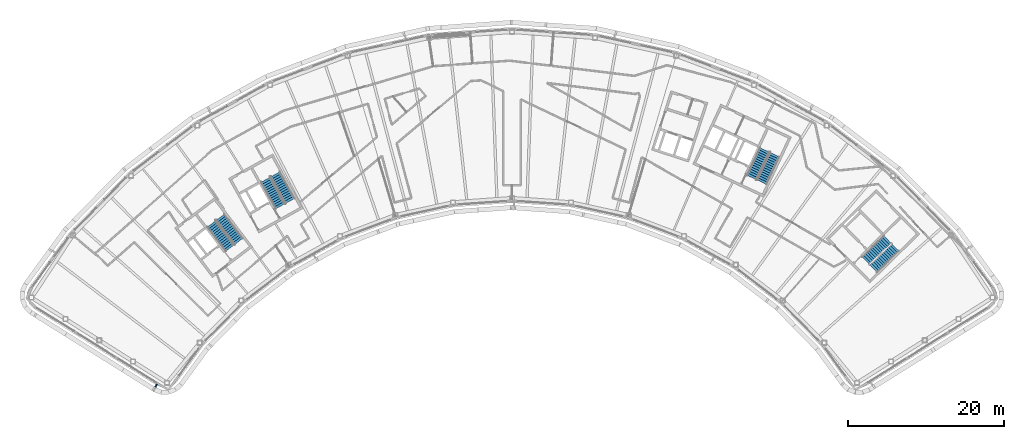
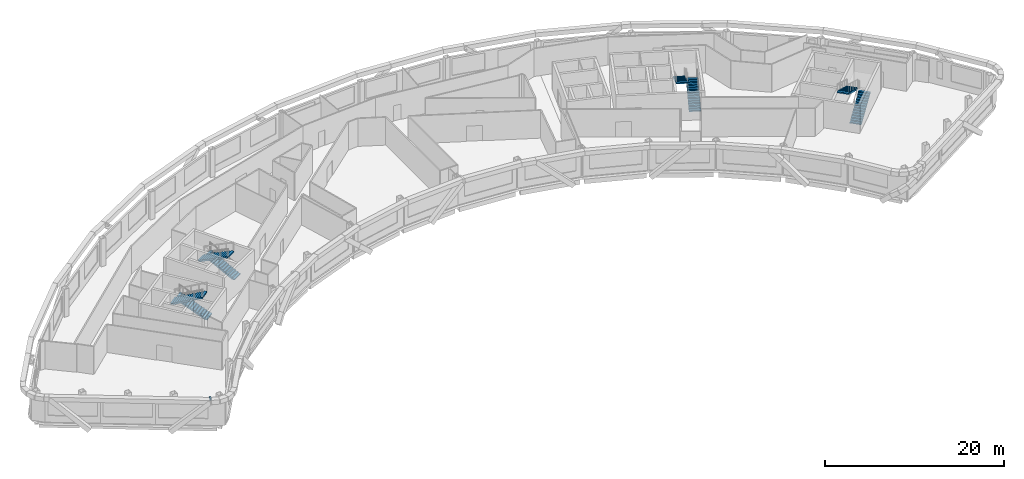
# One storey, part 11 of 17: 8 stair flights, 1 discrete accessory, 4 elements without a shape of their own.
"""IFC4 building model written with IfcOpenShell, lengths in metres."""

from ifc_helpers import new_model, si_unit, direction, frame, origin, origin_2d, place, context, subcontext, project, spatial, polyline, rectangle, outline, extrude, material, type_object, element, aggregate, save


model = new_model("IFC4")

# Units and contexts
model_context = context("Model", 3, precision=1e-05, world=origin(), true_north=direction((0.0, 1.0)))
body_context = subcontext(model_context, "Body", "Model", "MODEL_VIEW")
ifc_project = project(units=[si_unit("LENGTHUNIT", "METRE"), si_unit("AREAUNIT", "SQUARE_METRE"), si_unit("VOLUMEUNIT", "CUBIC_METRE"), si_unit("PLANEANGLEUNIT", "RADIAN"), si_unit("MASSUNIT", "GRAM", prefix="KILO")], contexts=[model_context])

# Site, building, storey
site_placement = place(None, origin())
site = spatial("IfcSite", under=ifc_project, at=site_placement, CompositionType="ELEMENT")
building_placement = place(site_placement, origin())
building = spatial("IfcBuilding", under=site, at=building_placement, Name="Tuul Gate Civic Tower", CompositionType="ELEMENT")
storey_placement = place(building_placement, frame((0.0, 0.0, 344.89990234375)))
storey = spatial("IfcBuildingStorey", under=building, at=storey_placement, Name="Level 78", CompositionType="ELEMENT", Elevation=344.89990234375)

# Stair, stair flights
ifc_material_1 = material(Name="Concrete C40/50", Category="concrete")
stair_type = type_object("IfcStairType", Name="Exit stair", PredefinedType="HALF_TURN_STAIR", material=ifc_material_1)
stair_1_placement = place(storey_placement, origin())
stair_1 = element("IfcStair", 1, at=stair_1_placement, inside=storey, type_object=stair_type, Name="Level 78 ST-1", PredefinedType="HALF_TURN_STAIR")
ifc_material_2 = material(Name="Concrete C40/50", Category="concrete")
stair_flight_type = type_object("IfcStairFlightType", Name="Exit stair flight", PredefinedType="STRAIGHT", material=ifc_material_2)
stair_flight_1_placement = place(storey_placement, frame((-32.875244140625, -13.066650390625, 0.0), z_axis=(0.0, 0.0, 1.0), x_axis=(-0.605764474941, 0.795644016442, 0.0)))
stair_flight_1 = element("IfcStairFlight", 2, at=stair_flight_1_placement, type_object=stair_flight_type, Name="ST-1 flight 1", NumberOfRisers=14, NumberOfTreads=13, PredefinedType="STRAIGHT", RiserHeight=0.15, TreadLength=0.3, context=body_context, shape_type="SweptSolid", body=[
    extrude(outline(polyline([(0.0, 0.0), (0.0, 0.14990234375), (0.300048828125, 0.14990234375), (0.300048828125, 0.300048828125), (0.60009765625, 0.300048828125), (0.60009765625, 0.449951171875), (0.89990234375, 0.449951171875), (0.89990234375, 0.60009765625), (1.199951171875, 0.60009765625), (1.199951171875, 0.75), (1.5, 0.75), (1.5, 0.89990234375), (1.800048828125, 0.89990234375), (1.800048828125, 1.050048828125), (2.10009765625, 1.050048828125), (2.10009765625, 1.199951171875), (2.39990234375, 1.199951171875), (2.39990234375, 1.35009765625), (2.699951171875, 1.35009765625), (2.699951171875, 1.5), (3.0, 1.5), (3.0, 1.64990234375), (3.300048828125, 1.64990234375), (3.300048828125, 1.800048828125), (3.60009765625, 1.800048828125), (3.60009765625, 1.949951171875), (3.89990234375, 1.949951171875), (3.89990234375, 2.10009765625), (3.89990234375, 1.782470703125), (0.335205078125, 0.0), (0.0, 0.0)])), frame((0.0, 0.675048828125, 0.0), z_axis=(0.0, -1.0, 0.0), x_axis=(1.0, 0.0, 0.0)), (0.0, 0.0, 1.0), 1.35009765625),
])
stair_flight_2_placement = place(storey_placement, frame((-36.391357421875, -10.842041015625, 2.10009765625), z_axis=(0.0, 0.0, 1.0), x_axis=(0.605764474941, -0.795644016442, 0.0)))
stair_flight_2 = element("IfcStairFlight", 3, at=stair_flight_2_placement, type_object=stair_flight_type, Name="ST-1 flight 2", NumberOfRisers=14, NumberOfTreads=13, PredefinedType="STRAIGHT", RiserHeight=0.15, TreadLength=0.3, context=body_context, shape_type="SweptSolid", body=[
    extrude(outline(polyline([(0.0, 0.0), (0.0, 0.14990234375), (0.300048828125, 0.14990234375), (0.300048828125, 0.300048828125), (0.60009765625, 0.300048828125), (0.60009765625, 0.449951171875), (0.89990234375, 0.449951171875), (0.89990234375, 0.60009765625), (1.199951171875, 0.60009765625), (1.199951171875, 0.75), (1.5, 0.75), (1.5, 0.89990234375), (1.800048828125, 0.89990234375), (1.800048828125, 1.050048828125), (2.10009765625, 1.050048828125), (2.10009765625, 1.199951171875), (2.39990234375, 1.199951171875), (2.39990234375, 1.35009765625), (2.699951171875, 1.35009765625), (2.699951171875, 1.5), (3.0, 1.5), (3.0, 1.64990234375), (3.300048828125, 1.64990234375), (3.300048828125, 1.800048828125), (3.60009765625, 1.800048828125), (3.60009765625, 1.949951171875), (3.89990234375, 1.949951171875), (3.89990234375, 2.10009765625), (3.89990234375, 1.782470703125), (0.335205078125, 0.0), (0.0, 0.0)])), frame((0.0, 0.675048828125, 0.0), z_axis=(0.0, -1.0, 0.0), x_axis=(1.0, 0.0, 0.0)), (0.0, 0.0, 1.0), 1.35009765625),
])
aggregate(stair_1, [stair_flight_1, stair_flight_2])

stair_2_placement = place(storey_placement, origin())
stair_2 = element("IfcStair", 4, at=stair_2_placement, inside=storey, type_object=stair_type, Name="Level 78 ST-2", PredefinedType="HALF_TURN_STAIR")
stair_flight_3_placement = place(storey_placement, frame((-26.29150390625, -7.87646484375, 0.0), z_axis=(0.0, 0.0, 1.0), x_axis=(-0.484761763766, 0.874646232708, 0.0)))
stair_flight_3 = element("IfcStairFlight", 5, at=stair_flight_3_placement, type_object=stair_flight_type, Name="ST-2 flight 1", NumberOfRisers=14, NumberOfTreads=13, PredefinedType="STRAIGHT", RiserHeight=0.15, TreadLength=0.3, context=body_context, shape_type="SweptSolid", body=[
    extrude(outline(polyline([(0.0, 0.0), (0.0, 0.14990234375), (0.300048828125, 0.14990234375), (0.300048828125, 0.300048828125), (0.60009765625, 0.300048828125), (0.60009765625, 0.449951171875), (0.89990234375, 0.449951171875), (0.89990234375, 0.60009765625), (1.199951171875, 0.60009765625), (1.199951171875, 0.75), (1.5, 0.75), (1.5, 0.89990234375), (1.800048828125, 0.89990234375), (1.800048828125, 1.050048828125), (2.10009765625, 1.050048828125), (2.10009765625, 1.199951171875), (2.39990234375, 1.199951171875), (2.39990234375, 1.35009765625), (2.699951171875, 1.35009765625), (2.699951171875, 1.5), (3.0, 1.5), (3.0, 1.64990234375), (3.300048828125, 1.64990234375), (3.300048828125, 1.800048828125), (3.60009765625, 1.800048828125), (3.60009765625, 1.949951171875), (3.89990234375, 1.949951171875), (3.89990234375, 2.10009765625), (3.89990234375, 1.782470703125), (0.335205078125, 0.0), (0.0, 0.0)])), frame((0.0, 0.675048828125, 0.0), z_axis=(0.0, -1.0, 0.0), x_axis=(1.0, 0.0, 0.0)), (0.0, 0.0, 1.0), 1.35009765625),
])
stair_flight_4_placement = place(storey_placement, frame((-29.450439453125, -5.168212890625, 2.10009765625), z_axis=(0.0, 0.0, 1.0), x_axis=(0.484761763766, -0.874646232708, 0.0)))
stair_flight_4 = element("IfcStairFlight", 6, at=stair_flight_4_placement, type_object=stair_flight_type, Name="ST-2 flight 2", NumberOfRisers=14, NumberOfTreads=13, PredefinedType="STRAIGHT", RiserHeight=0.15, TreadLength=0.3, context=body_context, shape_type="SweptSolid", body=[
    extrude(outline(polyline([(0.0, 0.0), (0.0, 0.14990234375), (0.300048828125, 0.14990234375), (0.300048828125, 0.300048828125), (0.60009765625, 0.300048828125), (0.60009765625, 0.449951171875), (0.89990234375, 0.449951171875), (0.89990234375, 0.60009765625), (1.199951171875, 0.60009765625), (1.199951171875, 0.75), (1.5, 0.75), (1.5, 0.89990234375), (1.800048828125, 0.89990234375), (1.800048828125, 1.050048828125), (2.10009765625, 1.050048828125), (2.10009765625, 1.199951171875), (2.39990234375, 1.199951171875), (2.39990234375, 1.35009765625), (2.699951171875, 1.35009765625), (2.699951171875, 1.5), (3.0, 1.5), (3.0, 1.64990234375), (3.300048828125, 1.64990234375), (3.300048828125, 1.800048828125), (3.60009765625, 1.800048828125), (3.60009765625, 1.949951171875), (3.89990234375, 1.949951171875), (3.89990234375, 2.10009765625), (3.89990234375, 1.782470703125), (0.335205078125, 0.0), (0.0, 0.0)])), frame((0.0, 0.675048828125, 0.0), z_axis=(0.0, -1.0, 0.0), x_axis=(1.0, 0.0, 0.0)), (0.0, 0.0, 1.0), 1.35009765625),
])
aggregate(stair_2, [stair_flight_3, stair_flight_4])

stair_3_placement = place(storey_placement, origin())
stair_3 = element("IfcStair", 7, at=stair_3_placement, inside=storey, type_object=stair_type, Name="Level 78 ST-3", PredefinedType="HALF_TURN_STAIR")
stair_flight_5_placement = place(storey_placement, frame((48.61376953125, -16.581787109375, 0.0), z_axis=(0.0, 0.0, 1.0), x_axis=(0.714127290059, 0.700015866672, 0.0)))
stair_flight_5 = element("IfcStairFlight", 8, at=stair_flight_5_placement, type_object=stair_flight_type, Name="ST-3 flight 1", NumberOfRisers=14, NumberOfTreads=13, PredefinedType="STRAIGHT", RiserHeight=0.15, TreadLength=0.3, context=body_context, shape_type="SweptSolid", body=[
    extrude(outline(polyline([(0.0, 0.0), (0.0, 0.14990234375), (0.300048828125, 0.14990234375), (0.300048828125, 0.300048828125), (0.60009765625, 0.300048828125), (0.60009765625, 0.449951171875), (0.89990234375, 0.449951171875), (0.89990234375, 0.60009765625), (1.199951171875, 0.60009765625), (1.199951171875, 0.75), (1.5, 0.75), (1.5, 0.89990234375), (1.800048828125, 0.89990234375), (1.800048828125, 1.050048828125), (2.10009765625, 1.050048828125), (2.10009765625, 1.199951171875), (2.39990234375, 1.199951171875), (2.39990234375, 1.35009765625), (2.699951171875, 1.35009765625), (2.699951171875, 1.5), (3.0, 1.5), (3.0, 1.64990234375), (3.300048828125, 1.64990234375), (3.300048828125, 1.800048828125), (3.60009765625, 1.800048828125), (3.60009765625, 1.949951171875), (3.89990234375, 1.949951171875), (3.89990234375, 2.10009765625), (3.89990234375, 1.782470703125), (0.335205078125, 0.0), (0.0, 0.0)])), frame((0.0, 0.675048828125, 0.0), z_axis=(0.0, -1.0, 0.0), x_axis=(1.0, 0.0, 0.0)), (0.0, 0.0, 1.0), 1.35009765625),
])
stair_flight_6_placement = place(storey_placement, frame((50.3837890625, -12.816162109375, 2.10009765625), z_axis=(0.0, 0.0, 1.0), x_axis=(-0.714127290059, -0.700015866672, 0.0)))
stair_flight_6 = element("IfcStairFlight", 9, at=stair_flight_6_placement, type_object=stair_flight_type, Name="ST-3 flight 2", NumberOfRisers=14, NumberOfTreads=13, PredefinedType="STRAIGHT", RiserHeight=0.15, TreadLength=0.3, context=body_context, shape_type="SweptSolid", body=[
    extrude(outline(polyline([(0.0, 0.0), (0.0, 0.14990234375), (0.300048828125, 0.14990234375), (0.300048828125, 0.300048828125), (0.60009765625, 0.300048828125), (0.60009765625, 0.449951171875), (0.89990234375, 0.449951171875), (0.89990234375, 0.60009765625), (1.199951171875, 0.60009765625), (1.199951171875, 0.75), (1.5, 0.75), (1.5, 0.89990234375), (1.800048828125, 0.89990234375), (1.800048828125, 1.050048828125), (2.10009765625, 1.050048828125), (2.10009765625, 1.199951171875), (2.39990234375, 1.199951171875), (2.39990234375, 1.35009765625), (2.699951171875, 1.35009765625), (2.699951171875, 1.5), (3.0, 1.5), (3.0, 1.64990234375), (3.300048828125, 1.64990234375), (3.300048828125, 1.800048828125), (3.60009765625, 1.800048828125), (3.60009765625, 1.949951171875), (3.89990234375, 1.949951171875), (3.89990234375, 2.10009765625), (3.89990234375, 1.782470703125), (0.335205078125, 0.0), (0.0, 0.0)])), frame((0.0, 0.675048828125, 0.0), z_axis=(0.0, -1.0, 0.0), x_axis=(1.0, 0.0, 0.0)), (0.0, 0.0, 1.0), 1.35009765625),
])
aggregate(stair_3, [stair_flight_5, stair_flight_6])

stair_4_placement = place(storey_placement, origin())
stair_4 = element("IfcStair", 10, at=stair_4_placement, inside=storey, type_object=stair_type, Name="Level 78 ST-4", PredefinedType="HALF_TURN_STAIR")
stair_flight_7_placement = place(storey_placement, frame((34.278564453125, -5.478515625, 0.0), z_axis=(0.0, 0.0, 1.0), x_axis=(0.422576295988, 0.906327354806, 0.0)))
stair_flight_7 = element("IfcStairFlight", 11, at=stair_flight_7_placement, type_object=stair_flight_type, Name="ST-4 flight 1", NumberOfRisers=14, NumberOfTreads=13, PredefinedType="STRAIGHT", RiserHeight=0.15, TreadLength=0.3, context=body_context, shape_type="SweptSolid", body=[
    extrude(outline(polyline([(0.0, 0.0), (0.0, 0.14990234375), (0.300048828125, 0.14990234375), (0.300048828125, 0.300048828125), (0.60009765625, 0.300048828125), (0.60009765625, 0.449951171875), (0.89990234375, 0.449951171875), (0.89990234375, 0.60009765625), (1.199951171875, 0.60009765625), (1.199951171875, 0.75), (1.5, 0.75), (1.5, 0.89990234375), (1.800048828125, 0.89990234375), (1.800048828125, 1.050048828125), (2.10009765625, 1.050048828125), (2.10009765625, 1.199951171875), (2.39990234375, 1.199951171875), (2.39990234375, 1.35009765625), (2.699951171875, 1.35009765625), (2.699951171875, 1.5), (3.0, 1.5), (3.0, 1.64990234375), (3.300048828125, 1.64990234375), (3.300048828125, 1.800048828125), (3.60009765625, 1.800048828125), (3.60009765625, 1.949951171875), (3.89990234375, 1.949951171875), (3.89990234375, 2.10009765625), (3.89990234375, 1.782470703125), (0.335205078125, 0.0), (0.0, 0.0)])), frame((0.0, 0.675048828125, 0.0), z_axis=(0.0, -1.0, 0.0), x_axis=(1.0, 0.0, 0.0)), (0.0, 0.0, 1.0), 1.35009765625),
])
stair_flight_8_placement = place(storey_placement, frame((34.612548828125, -1.3310546875, 2.10009765625), z_axis=(0.0, 0.0, 1.0), x_axis=(-0.422576295988, -0.906327354806, 0.0)))
stair_flight_8 = element("IfcStairFlight", 12, at=stair_flight_8_placement, type_object=stair_flight_type, Name="ST-4 flight 2", NumberOfRisers=14, NumberOfTreads=13, PredefinedType="STRAIGHT", RiserHeight=0.15, TreadLength=0.3, context=body_context, shape_type="SweptSolid", body=[
    extrude(outline(polyline([(0.0, 0.0), (0.0, 0.14990234375), (0.300048828125, 0.14990234375), (0.300048828125, 0.300048828125), (0.60009765625, 0.300048828125), (0.60009765625, 0.449951171875), (0.89990234375, 0.449951171875), (0.89990234375, 0.60009765625), (1.199951171875, 0.60009765625), (1.199951171875, 0.75), (1.5, 0.75), (1.5, 0.89990234375), (1.800048828125, 0.89990234375), (1.800048828125, 1.050048828125), (2.10009765625, 1.050048828125), (2.10009765625, 1.199951171875), (2.39990234375, 1.199951171875), (2.39990234375, 1.35009765625), (2.699951171875, 1.35009765625), (2.699951171875, 1.5), (3.0, 1.5), (3.0, 1.64990234375), (3.300048828125, 1.64990234375), (3.300048828125, 1.800048828125), (3.60009765625, 1.800048828125), (3.60009765625, 1.949951171875), (3.89990234375, 1.949951171875), (3.89990234375, 2.10009765625), (3.89990234375, 1.782470703125), (0.335205078125, 0.0), (0.0, 0.0)])), frame((0.0, 0.675048828125, 0.0), z_axis=(0.0, -1.0, 0.0), x_axis=(1.0, 0.0, 0.0)), (0.0, 0.0, 1.0), 1.35009765625),
])
aggregate(stair_4, [stair_flight_7, stair_flight_8])

# Discrete accessory
ifc_material_3 = material(Name="Stainless steel", Category="steel")
discrete_accessory_type = type_object("IfcDiscreteAccessoryType", Name="Screen bracket", PredefinedType="BRACKET", material=ifc_material_3)
discrete_accessory_placement = place(storey_placement, frame((-43.500732421875, -31.607421875, 3.75), z_axis=(0.0, 0.0, 1.0), x_axis=(-0.44884181103, -0.893611229043, 0.0)))
element("IfcDiscreteAccessory", 13, at=discrete_accessory_placement, inside=storey, type_object=discrete_accessory_type, Name="Screen bracket 20", PredefinedType="BRACKET", context=body_context, shape_type="SweptSolid", body=[
    extrude(rectangle(XDim=0.451904296875, YDim=0.199951171875, at=origin_2d()), origin(), (0.0, 0.0, 1.0), 0.199951171875),
])

save(model, "model.ifc")
